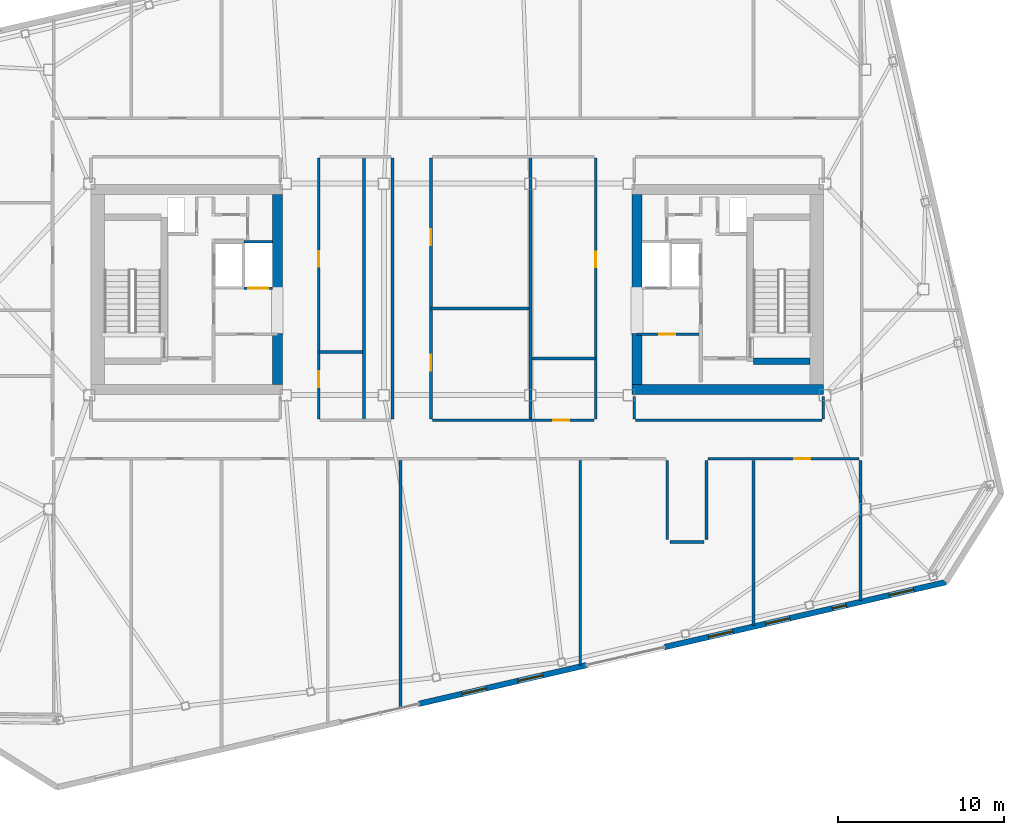
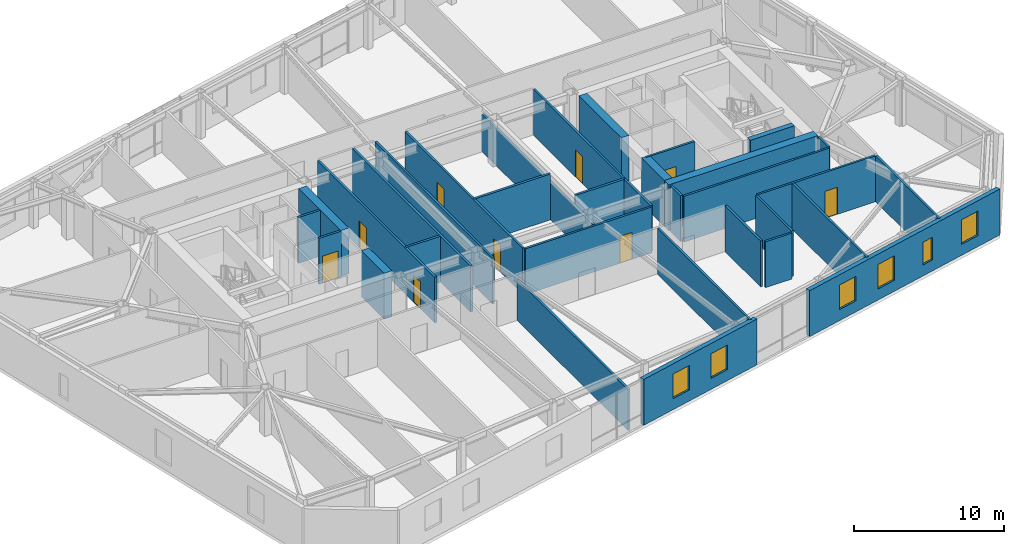
# One storey, part 17 of 23: 32 walls, 9 doors, 6 windows, 15 openings.
"""IFC4 building model written with IfcOpenShell, lengths in metres."""

from ifc_helpers import new_model, si_unit, direction, frame, frame_2d, origin, place, context, subcontext, project, spatial, rectangle, extrude, material, layer, layer_set, type_object, element, fill, save


model = new_model("IFC4")

# Units and contexts
model_context = context("Model", 3, precision=1e-05, world=origin(), true_north=direction((0.0, 1.0)))
body_context = subcontext(model_context, "Body", "Model", "MODEL_VIEW")
ifc_project = project(units=[si_unit("LENGTHUNIT", "METRE"), si_unit("AREAUNIT", "SQUARE_METRE"), si_unit("VOLUMEUNIT", "CUBIC_METRE"), si_unit("PLANEANGLEUNIT", "RADIAN"), si_unit("MASSUNIT", "GRAM", prefix="KILO")], contexts=[model_context])

# Site, building, storey
site_placement = place(None, origin())
site = spatial("IfcSite", under=ifc_project, at=site_placement, CompositionType="ELEMENT")
building_placement = place(site_placement, origin())
building = spatial("IfcBuilding", under=site, at=building_placement, Name="Tavrogorsk Clinical Tower", CompositionType="ELEMENT")
storey_placement = place(building_placement, frame((0.0, 0.0, 293.0)))
storey = spatial("IfcBuildingStorey", under=building, at=storey_placement, Name="L68", CompositionType="ELEMENT", Elevation=293.0)

# Wall, opening, door
ifc_material_1 = material(Name="Lightweight concrete blockwork B15", Category="masonry")
ifc_layer_1 = layer(ifc_material_1, 0.159912109375)
ifc_layer_set_1 = layer_set([ifc_layer_1], Name="Lightweight concrete blockwork B15")
wall_type_1 = type_object("IfcWallType", Name="PartitionWall_160", PredefinedType="PARTITIONING", material=ifc_layer_set_1)
wall_1_placement = place(storey_placement, frame((10.800048828125, -2.699951171875, 0.0), z_axis=(0.0, 0.0, 1.0), x_axis=(1.0, 0.0, 0.0)))
wall_1 = element("IfcWall", 1, at=wall_1_placement, inside=storey, type_object=wall_type_1, Name="L68 Core East Freed Mid-Bank North Partition", PredefinedType="PARTITIONING", context=body_context, shape_type="SweptSolid", body=[
    extrude(rectangle(XDim=3.73486328125, YDim=0.159912109375, at=frame_2d((1.867431640625, 0.0))), origin(), (0.0, 0.0, 1.0), 3.739990234375),
])
opening_1_placement = place(wall_1_placement, frame((1.35009765625, 0.0, 0.0)))
opening_1 = element("IfcOpeningElement", 2, at=opening_1_placement, cuts=wall_1, Name="Opening ID-02", PredefinedType="OPENING", context=body_context, shape_type="SweptSolid", body=[
    extrude(rectangle(XDim=0.949951171875, YDim=2.199951171875, at=frame_2d((0.47509765625, 1.10009765625))), frame((0.0, 0.08984375, 0.0), z_axis=(0.0, -1.0, 0.0), x_axis=(1.0, 0.0, 0.0)), (0.0, 0.0, 1.0), 0.179931640625),
])
ifc_material_2 = material(Name="Laminated timber leaf on aluminium frame", Category="wood")
door_type_1 = type_object("IfcDoorType", Name="InteriorDoor_ID02_950", OperationType="NOTDEFINED", PredefinedType="DOOR", material=ifc_material_2)
door_1_placement = place(opening_1_placement, origin())
door_1 = element("IfcDoor", 3, at=door_1_placement, inside=storey, type_object=door_type_1, Name="L68 Core East Pharmacy Prep Door", OperationType="SINGLE_SWING_LEFT", OverallHeight=2.199951171875, OverallWidth=0.949951171875, PredefinedType="DOOR", context=body_context, shape_type="SweptSolid", body=[
    extrude(rectangle(XDim=0.949951171875, YDim=2.199951171875, at=frame_2d((0.47509765625, 1.10009765625))), frame((0.0, 0.02490234375, 0.0), z_axis=(0.0, -1.0, 0.0), x_axis=(1.0, 0.0, 0.0)), (0.0, 0.0, 1.0), 0.050048828125),
])
fill(opening_1, door_1)

wall_2_placement = place(storey_placement, frame((24.14501953125, -10.179931640625, 0.0), z_axis=(0.0, 0.0, 1.0), x_axis=(-1.0, 0.0, 0.0)))
wall_2 = element("IfcWall", 4, at=wall_2_placement, inside=storey, type_object=wall_type_1, Name="L68 Corridor Partition 04", PredefinedType="PARTITIONING", context=body_context, shape_type="SweptSolid", body=[
    extrude(rectangle(XDim=9.080078125, YDim=0.159912109375, at=frame_2d((4.5400390625, 0.0))), origin(), (0.0, 0.0, 1.0), 3.739990234375),
])
opening_2_placement = place(wall_2_placement, frame((2.93408203125, 0.0, 0.0)))
opening_2 = element("IfcOpeningElement", 5, at=opening_2_placement, cuts=wall_2, Name="Opening ID-02", PredefinedType="OPENING", context=body_context, shape_type="SweptSolid", body=[
    extrude(rectangle(XDim=0.949951171875, YDim=2.199951171875, at=frame_2d((0.47509765625, 1.10009765625))), frame((0.0, 0.08984375, 0.0), z_axis=(0.0, -1.0, 0.0), x_axis=(1.0, 0.0, 0.0)), (0.0, 0.0, 1.0), 0.179931640625),
])
door_2_placement = place(opening_2_placement, origin())
door_2 = element("IfcDoor", 6, at=door_2_placement, inside=storey, type_object=door_type_1, Name="L68 South Clinical Case Seminar Room 06 Door", OperationType="SINGLE_SWING_LEFT", OverallHeight=2.199951171875, OverallWidth=0.949951171875, PredefinedType="DOOR", context=body_context, shape_type="SweptSolid", body=[
    extrude(rectangle(XDim=0.949951171875, YDim=2.199951171875, at=frame_2d((0.47509765625, 1.10009765625))), frame((0.0, 0.02490234375, 0.0), z_axis=(0.0, -1.0, 0.0), x_axis=(1.0, 0.0, 0.0)), (0.0, 0.0, 1.0), 0.050048828125),
])
fill(opening_2, door_2)

# Walls
wall_3_placement = place(storey_placement, frame((14.97998046875, -10.264892578125, 0.0), z_axis=(0.0, 0.0, 1.0), x_axis=(0.0, -1.0, 0.0)))
element("IfcWall", 7, at=wall_3_placement, inside=storey, type_object=wall_type_1, Name="L68 Corridor Partition 05", PredefinedType="PARTITIONING", context=body_context, shape_type="SweptSolid", body=[
    extrude(rectangle(XDim=4.75, YDim=0.159912109375, at=frame_2d((2.375, 0.0))), origin(), (0.0, 0.0, 1.0), 3.739990234375),
])
wall_4_placement = place(storey_placement, frame((14.81494140625, -15.179931640625, 0.0), z_axis=(0.0, 0.0, 1.0), x_axis=(-1.0, 0.0, 0.0)))
element("IfcWall", 8, at=wall_4_placement, inside=storey, type_object=wall_type_1, Name="L68 Corridor Partition 06", PredefinedType="PARTITIONING", context=body_context, shape_type="SweptSolid", body=[
    extrude(rectangle(XDim=2.030029296875, YDim=0.159912109375, at=frame_2d((1.01513671875, 0.0))), origin(), (0.0, 0.0, 1.0), 3.739990234375),
])
wall_5_placement = place(storey_placement, frame((12.6201171875, -15.014892578125, 0.0), z_axis=(0.0, 0.0, 1.0), x_axis=(0.0, 1.0, 0.0)))
element("IfcWall", 9, at=wall_5_placement, inside=storey, type_object=wall_type_1, Name="L68 Corridor Partition 07", PredefinedType="PARTITIONING", context=body_context, shape_type="SweptSolid", body=[
    extrude(rectangle(XDim=4.75, YDim=0.159912109375, at=frame_2d((2.375, 0.0))), origin(), (0.0, 0.0, 1.0), 3.739990234375),
])
wall_6_placement = place(storey_placement, frame((10.6298828125, -6.419921875, 0.0), z_axis=(0.0, 0.0, 1.0), x_axis=(0.0, -1.0, 0.0)))
element("IfcWall", 10, at=wall_6_placement, inside=storey, type_object=wall_type_1, Name="L68 Corridor Partition 11", PredefinedType="PARTITIONING", context=body_context, shape_type="SweptSolid", body=[
    extrude(rectangle(XDim=1.364990234375, YDim=0.159912109375, at=frame_2d((0.6826171875, 0.0))), origin(), (0.0, 0.0, 1.0), 3.739990234375),
])
wall_7_placement = place(storey_placement, frame((10.715087890625, -7.8701171875, 0.0), z_axis=(0.0, 0.0, 1.0), x_axis=(1.0, 0.0, 0.0)))
element("IfcWall", 11, at=wall_7_placement, inside=storey, type_object=wall_type_1, Name="L68 Corridor Partition 12", PredefinedType="PARTITIONING", context=body_context, shape_type="SweptSolid", body=[
    extrude(rectangle(XDim=11.199951171875, YDim=0.159912109375, at=frame_2d((5.60009765625, 0.0))), origin(), (0.0, 0.0, 1.0), 3.739990234375),
])
wall_8_placement = place(storey_placement, frame((22.0, -7.784912109375, 0.0), z_axis=(0.0, 0.0, 1.0), x_axis=(0.0, 1.0, 0.0)))
element("IfcWall", 12, at=wall_8_placement, inside=storey, type_object=wall_type_1, Name="L68 Corridor Partition 13", PredefinedType="PARTITIONING", context=body_context, shape_type="SweptSolid", body=[
    extrude(rectangle(XDim=1.364990234375, YDim=0.159912109375, at=frame_2d((0.6826171875, 0.0))), origin(), (0.0, 0.0, 1.0), 3.739990234375),
])

# Wall, openings, doors
wall_9_placement = place(storey_placement, frame((-1.570068359375, 7.885009765625, 0.0), z_axis=(0.0, 0.0, 1.0), x_axis=(0.0, -1.0, 0.0)))
wall_9 = element("IfcWall", 13, at=wall_9_placement, inside=storey, type_object=wall_type_1, Name="L68 Corridor Partition 16", PredefinedType="PARTITIONING", context=body_context, shape_type="SweptSolid", body=[
    extrude(rectangle(XDim=15.669921875, YDim=0.159912109375, at=frame_2d((7.8349609375, 0.0))), origin(), (0.0, 0.0, 1.0), 3.739990234375),
])
opening_3_placement = place(wall_9_placement, frame((11.810791015625, 0.0, 0.0)))
opening_3 = element("IfcOpeningElement", 14, at=opening_3_placement, cuts=wall_9, Name="Opening ID-02", PredefinedType="OPENING", context=body_context, shape_type="SweptSolid", body=[
    extrude(rectangle(XDim=0.949951171875, YDim=2.199951171875, at=frame_2d((0.47509765625, 1.10009765625))), frame((0.0, 0.08984375, 0.0), z_axis=(0.0, -1.0, 0.0), x_axis=(1.0, 0.0, 0.0)), (0.0, 0.0, 1.0), 0.179931640625),
])
opening_4_placement = place(wall_9_placement, frame((4.279052734375, 0.0, 0.0)))
opening_4 = element("IfcOpeningElement", 15, at=opening_4_placement, cuts=wall_9, Name="Opening ID-02", PredefinedType="OPENING", context=body_context, shape_type="SweptSolid", body=[
    extrude(rectangle(XDim=0.949951171875, YDim=2.199951171875, at=frame_2d((0.47509765625, 1.10009765625))), frame((0.0, 0.08984375, 0.0), z_axis=(0.0, -1.0, 0.0), x_axis=(1.0, 0.0, 0.0)), (0.0, 0.0, 1.0), 0.179931640625),
])
door_3_placement = place(opening_3_placement, origin())
door_3 = element("IfcDoor", 16, at=door_3_placement, inside=storey, type_object=door_type_1, Name="L68 Multidisciplinary Conference Room Door", OperationType="SINGLE_SWING_RIGHT", OverallHeight=2.199951171875, OverallWidth=0.949951171875, PredefinedType="DOOR", context=body_context, shape_type="SweptSolid", body=[
    extrude(rectangle(XDim=0.949951171875, YDim=2.199951171875, at=frame_2d((0.47509765625, 1.10009765625))), frame((0.0, 0.02490234375, 0.0), z_axis=(0.0, -1.0, 0.0), x_axis=(1.0, 0.0, 0.0)), (0.0, 0.0, 1.0), 0.050048828125),
])
fill(opening_3, door_3)
door_4_placement = place(opening_4_placement, origin())
door_4 = element("IfcDoor", 17, at=door_4_placement, inside=storey, type_object=door_type_1, Name="L68 Nurses' Station & Triage Hub Door", OperationType="SINGLE_SWING_LEFT", OverallHeight=2.199951171875, OverallWidth=0.949951171875, PredefinedType="DOOR", context=body_context, shape_type="SweptSolid", body=[
    extrude(rectangle(XDim=0.949951171875, YDim=2.199951171875, at=frame_2d((0.47509765625, 1.10009765625))), frame((0.0, 0.02490234375, 0.0), z_axis=(0.0, -1.0, 0.0), x_axis=(1.0, 0.0, 0.0)), (0.0, 0.0, 1.0), 0.050048828125),
])
fill(opening_4, door_4)

# Wall, opening, door
wall_10_placement = place(storey_placement, frame((-1.485107421875, -7.8701171875, 0.0), z_axis=(0.0, 0.0, 1.0), x_axis=(1.0, 0.0, 0.0)))
wall_10 = element("IfcWall", 18, at=wall_10_placement, inside=storey, type_object=wall_type_1, Name="L68 Corridor Partition 17", PredefinedType="PARTITIONING", context=body_context, shape_type="SweptSolid", body=[
    extrude(rectangle(XDim=9.72021484375, YDim=0.159912109375, at=frame_2d((4.860107421875, 0.0))), origin(), (0.0, 0.0, 1.0), 3.739990234375),
])
opening_5_placement = place(wall_10_placement, frame((7.260986328125, 0.0, 0.0)))
opening_5 = element("IfcOpeningElement", 19, at=opening_5_placement, cuts=wall_10, Name="Opening ID-02", PredefinedType="OPENING", context=body_context, shape_type="SweptSolid", body=[
    extrude(rectangle(XDim=0.949951171875, YDim=2.199951171875, at=frame_2d((0.47509765625, 1.10009765625))), frame((0.0, 0.08984375, 0.0), z_axis=(0.0, -1.0, 0.0), x_axis=(1.0, 0.0, 0.0)), (0.0, 0.0, 1.0), 0.179931640625),
])
door_5_placement = place(opening_5_placement, origin())
door_5 = element("IfcDoor", 20, at=door_5_placement, inside=storey, type_object=door_type_1, Name="L68 Staff & Visitor Accessible WC Door", OperationType="SINGLE_SWING_RIGHT", OverallHeight=2.199951171875, OverallWidth=0.949951171875, PredefinedType="DOOR", context=body_context, shape_type="SweptSolid", body=[
    extrude(rectangle(XDim=0.949951171875, YDim=2.199951171875, at=frame_2d((0.47509765625, 1.10009765625))), frame((0.0, 0.02490234375, 0.0), z_axis=(0.0, -1.0, 0.0), x_axis=(1.0, 0.0, 0.0)), (0.0, 0.0, 1.0), 0.050048828125),
])
fill(opening_5, door_5)

wall_11_placement = place(storey_placement, frame((8.320068359375, -7.784912109375, 0.0), z_axis=(0.0, 0.0, 1.0), x_axis=(0.0, 1.0, 0.0)))
wall_11 = element("IfcWall", 21, at=wall_11_placement, inside=storey, type_object=wall_type_1, Name="L68 Corridor Partition 18", PredefinedType="PARTITIONING", context=body_context, shape_type="SweptSolid", body=[
    extrude(rectangle(XDim=15.669921875, YDim=0.159912109375, at=frame_2d((7.8349609375, 0.0))), origin(), (0.0, 0.0, 1.0), 3.739990234375),
])
opening_6_placement = place(wall_11_placement, frame((9.11083984375, 0.0, 0.0)))
opening_6 = element("IfcOpeningElement", 22, at=opening_6_placement, cuts=wall_11, Name="Opening ID-02", PredefinedType="OPENING", context=body_context, shape_type="SweptSolid", body=[
    extrude(rectangle(XDim=0.949951171875, YDim=2.199951171875, at=frame_2d((0.47509765625, 1.10009765625))), frame((0.0, 0.08984375, 0.0), z_axis=(0.0, -1.0, 0.0), x_axis=(1.0, 0.0, 0.0)), (0.0, 0.0, 1.0), 0.179931640625),
])
door_6_placement = place(opening_6_placement, origin())
door_6 = element("IfcDoor", 23, at=door_6_placement, inside=storey, type_object=door_type_1, Name="L68 Attending Physician Office Door", OperationType="SINGLE_SWING_LEFT", OverallHeight=2.199951171875, OverallWidth=0.949951171875, PredefinedType="DOOR", context=body_context, shape_type="SweptSolid", body=[
    extrude(rectangle(XDim=0.949951171875, YDim=2.199951171875, at=frame_2d((0.47509765625, 1.10009765625))), frame((0.0, 0.02490234375, 0.0), z_axis=(0.0, -1.0, 0.0), x_axis=(1.0, 0.0, 0.0)), (0.0, 0.0, 1.0), 0.050048828125),
])
fill(opening_6, door_6)

# Wall
wall_12_placement = place(storey_placement, frame((-3.8798828125, -7.784912109375, 0.0), z_axis=(0.0, 0.0, 1.0), x_axis=(0.0, 1.0, 0.0)))
element("IfcWall", 24, at=wall_12_placement, inside=storey, type_object=wall_type_1, Name="L68 Corridor Partition 19", PredefinedType="PARTITIONING", context=body_context, shape_type="SweptSolid", body=[
    extrude(rectangle(XDim=15.669921875, YDim=0.159912109375, at=frame_2d((7.8349609375, 0.0))), origin(), (0.0, 0.0, 1.0), 3.739990234375),
])

# Wall, openings, doors
wall_13_placement = place(storey_placement, frame((-8.320068359375, 7.885009765625, 0.0), z_axis=(0.0, 0.0, 1.0), x_axis=(0.0, -1.0, 0.0)))
wall_13 = element("IfcWall", 25, at=wall_13_placement, inside=storey, type_object=wall_type_1, Name="L68 Corridor Partition 21", PredefinedType="PARTITIONING", context=body_context, shape_type="SweptSolid", body=[
    extrude(rectangle(XDim=15.669921875, YDim=0.159912109375, at=frame_2d((7.8349609375, 0.0))), origin(), (0.0, 0.0, 1.0), 3.739990234375),
])
opening_7_placement = place(wall_13_placement, frame((12.810791015625, 0.0, 0.0)))
opening_7 = element("IfcOpeningElement", 26, at=opening_7_placement, cuts=wall_13, Name="Opening ID-02", PredefinedType="OPENING", context=body_context, shape_type="SweptSolid", body=[
    extrude(rectangle(XDim=0.949951171875, YDim=2.199951171875, at=frame_2d((0.47509765625, 1.10009765625))), frame((0.0, 0.08984375, 0.0), z_axis=(0.0, -1.0, 0.0), x_axis=(1.0, 0.0, 0.0)), (0.0, 0.0, 1.0), 0.179931640625),
])
opening_8_placement = place(wall_13_placement, frame((5.5791015625, 0.0, 0.0)))
opening_8 = element("IfcOpeningElement", 27, at=opening_8_placement, cuts=wall_13, Name="Opening ID-02", PredefinedType="OPENING", context=body_context, shape_type="SweptSolid", body=[
    extrude(rectangle(XDim=0.949951171875, YDim=2.199951171875, at=frame_2d((0.47509765625, 1.10009765625))), frame((0.0, 0.08984375, 0.0), z_axis=(0.0, -1.0, 0.0), x_axis=(1.0, 0.0, 0.0)), (0.0, 0.0, 1.0), 0.179931640625),
])
door_7_placement = place(opening_7_placement, origin())
door_7 = element("IfcDoor", 28, at=door_7_placement, inside=storey, type_object=door_type_1, Name="L68 Accessible Patient Lavatory Door", OperationType="SINGLE_SWING_RIGHT", OverallHeight=2.199951171875, OverallWidth=0.949951171875, PredefinedType="DOOR", context=body_context, shape_type="SweptSolid", body=[
    extrude(rectangle(XDim=0.949951171875, YDim=2.199951171875, at=frame_2d((0.47509765625, 1.10009765625))), frame((0.0, 0.02490234375, 0.0), z_axis=(0.0, -1.0, 0.0), x_axis=(1.0, 0.0, 0.0)), (0.0, 0.0, 1.0), 0.050048828125),
])
fill(opening_7, door_7)
door_8_placement = place(opening_8_placement, origin())
door_8 = element("IfcDoor", 29, at=door_8_placement, inside=storey, type_object=door_type_1, Name="L68 Ward Nourishment Pantry Door", OperationType="SINGLE_SWING_LEFT", OverallHeight=2.199951171875, OverallWidth=0.949951171875, PredefinedType="DOOR", context=body_context, shape_type="SweptSolid", body=[
    extrude(rectangle(XDim=0.949951171875, YDim=2.199951171875, at=frame_2d((0.47509765625, 1.10009765625))), frame((0.0, 0.02490234375, 0.0), z_axis=(0.0, -1.0, 0.0), x_axis=(1.0, 0.0, 0.0)), (0.0, 0.0, 1.0), 0.050048828125),
])
fill(opening_8, door_8)

# Walls
wall_14_placement = place(storey_placement, frame((24.22998046875, -18.702880859375, 0.0), z_axis=(0.0, 0.0, 1.0), x_axis=(0.0, 1.0, 0.0)))
element("IfcWall", 30, at=wall_14_placement, inside=storey, type_object=wall_type_1, Name="L68 SE Wing Closure Partition", PredefinedType="PARTITIONING", context=body_context, shape_type="SweptSolid", body=[
    extrude(rectangle(XDim=8.43798828125, YDim=0.159912109375, at=frame_2d((4.218994140625, 0.0))), origin(), (0.0, 0.0, 1.0), 3.739990234375),
])
wall_15_placement = place(storey_placement, frame((-3.39990234375, -25.081787109375, 0.0), z_axis=(0.0, 0.0, 1.0), x_axis=(0.0, 1.0, 0.0)))
element("IfcWall", 31, at=wall_15_placement, inside=storey, type_object=wall_type_1, Name="L68 South Room Partition 3", PredefinedType="PARTITIONING", context=body_context, shape_type="SweptSolid", body=[
    extrude(rectangle(XDim=14.81689453125, YDim=0.159912109375, at=frame_2d((7.408447265625, 0.0))), origin(), (0.0, 0.0, 1.0), 3.3349609375),
])
wall_16_placement = place(storey_placement, frame((7.39990234375, -22.58837890625, 0.0), z_axis=(0.0, 0.0, 1.0), x_axis=(0.0, 1.0, 0.0)))
element("IfcWall", 32, at=wall_16_placement, inside=storey, type_object=wall_type_1, Name="L68 South Room Partition 4", PredefinedType="PARTITIONING", context=body_context, shape_type="SweptSolid", body=[
    extrude(rectangle(XDim=12.323486328125, YDim=0.159912109375, at=frame_2d((6.16162109375, 0.0))), origin(), (0.0, 0.0, 1.0), 3.739990234375),
])
wall_17_placement = place(storey_placement, frame((17.800048828125, -20.187255859375, 0.0), z_axis=(0.0, 0.0, 1.0), x_axis=(0.0, 1.0, 0.0)))
element("IfcWall", 33, at=wall_17_placement, inside=storey, type_object=wall_type_1, Name="L68 South Room Partition 5", PredefinedType="PARTITIONING", context=body_context, shape_type="SweptSolid", body=[
    extrude(rectangle(XDim=9.92236328125, YDim=0.159912109375, at=frame_2d((4.961181640625, 0.0))), origin(), (0.0, 0.0, 1.0), 3.739990234375),
])
ifc_material_3 = material(Name="Lightweight concrete blockwork B20", Category="masonry")
ifc_layer_2 = layer(ifc_material_3, 0.179931640625)
ifc_layer_set_2 = layer_set([ifc_layer_2], Name="Lightweight concrete blockwork B20")
wall_type_2 = type_object("IfcWallType", Name="PartitionWall_180", PredefinedType="PARTITIONING", material=ifc_layer_set_2)
wall_18_placement = place(storey_placement, frame((-5.60009765625, -7.864990234375, 0.0), z_axis=(0.0, 0.0, 1.0), x_axis=(0.0, 1.0, 0.0)))
element("IfcWall", 34, at=wall_18_placement, inside=storey, type_object=wall_type_2, Name="L68 Central Spine Partition 1", PredefinedType="PARTITIONING", context=body_context, shape_type="SweptSolid", body=[
    extrude(rectangle(XDim=15.830078125, YDim=0.179931640625, at=frame_2d((7.9150390625, 0.0))), origin(), (0.0, 0.0, 1.0), 3.739990234375),
])
wall_19_placement = place(storey_placement, frame((4.39990234375, -7.864990234375, 0.0), z_axis=(0.0, 0.0, 1.0), x_axis=(0.0, 1.0, 0.0)))
element("IfcWall", 35, at=wall_19_placement, inside=storey, type_object=wall_type_2, Name="L68 Central Spine Partition 2", PredefinedType="PARTITIONING", context=body_context, shape_type="SweptSolid", body=[
    extrude(rectangle(XDim=15.830078125, YDim=0.179931640625, at=frame_2d((7.9150390625, 0.0))), origin(), (0.0, 0.0, 1.0), 3.034912109375),
])
wall_20_placement = place(storey_placement, frame((-1.56494140625, -1.14990234375, 0.0), z_axis=(0.0, 0.0, 1.0), x_axis=(1.0, 0.0, 0.0)))
element("IfcWall", 36, at=wall_20_placement, inside=storey, type_object=wall_type_2, Name="L68 Central Spine Partition 3", PredefinedType="PARTITIONING", context=body_context, shape_type="SweptSolid", body=[
    extrude(rectangle(XDim=5.869873046875, YDim=0.179931640625, at=frame_2d((2.93505859375, 0.0))), origin(), (0.0, 0.0, 1.0), 3.739990234375),
])
wall_21_placement = place(storey_placement, frame((-8.31494140625, -3.75, 0.0), z_axis=(0.0, 0.0, 1.0), x_axis=(1.0, 0.0, 0.0)))
element("IfcWall", 37, at=wall_21_placement, inside=storey, type_object=wall_type_2, Name="L68 Central Spine Partition 4", PredefinedType="PARTITIONING", context=body_context, shape_type="SweptSolid", body=[
    extrude(rectangle(XDim=2.619873046875, YDim=0.179931640625, at=frame_2d((1.31005859375, 0.0))), origin(), (0.0, 0.0, 1.0), 3.739990234375),
])
wall_22_placement = place(storey_placement, frame((4.4951171875, -4.14990234375, 0.0), z_axis=(0.0, 0.0, 1.0), x_axis=(1.0, 0.0, 0.0)))
element("IfcWall", 38, at=wall_22_placement, inside=storey, type_object=wall_type_2, Name="L68 Central Spine Partition 5", PredefinedType="PARTITIONING", context=body_context, shape_type="SweptSolid", body=[
    extrude(rectangle(XDim=3.81982421875, YDim=0.179931640625, at=frame_2d((1.909912109375, 0.0))), origin(), (0.0, 0.0, 1.0), 3.739990234375),
])

# Wall, openings, windows
ifc_material_4 = material(Name="Precast concrete B45 with limestone cladding", Category="masonry")
ifc_layer_3 = layer(ifc_material_4, 0.340087890625)
ifc_layer_set_3 = layer_set([ifc_layer_3], Name="Precast concrete B45 with limestone cladding")
wall_type_3 = type_object("IfcWallType", Name="PrecastLimestoneWall_340", PredefinedType="STANDARD", material=ifc_layer_set_3)
wall_23_placement = place(storey_placement, frame((-2.294921875, -24.8984375, 0.0), z_axis=(0.0, 0.0, 1.0), x_axis=(0.974370872906, 0.224947553958, 0.0)))
wall_23 = element("IfcWall", 39, at=wall_23_placement, inside=storey, type_object=wall_type_3, Name="L68 S Limestone Facade Wall 2", PredefinedType="STANDARD", context=body_context, shape_type="SweptSolid", body=[
    extrude(rectangle(XDim=10.327880859375, YDim=0.340087890625, at=frame_2d((5.1640625, 0.0))), origin(), (0.0, 0.0, 1.0), 3.739990234375),
])
opening_9_placement = place(wall_23_placement, frame((2.65478515625, 0.0, 0.89990234375)))
opening_9 = element("IfcOpeningElement", 40, at=opening_9_placement, cuts=wall_23, Name="Opening WN-05", PredefinedType="OPENING", context=body_context, shape_type="SweptSolid", body=[
    extrude(rectangle(XDim=1.5, YDim=2.0, at=frame_2d((0.75, 1.0))), frame((0.0, 0.179931640625, 0.0), z_axis=(0.0, -1.0, 0.0), x_axis=(1.0, 0.0, 0.0)), (0.0, 0.0, 1.0), 0.360107421875),
])
opening_10_placement = place(wall_23_placement, frame((6.124267578125, 0.0, 0.89990234375)))
opening_10 = element("IfcOpeningElement", 41, at=opening_10_placement, cuts=wall_23, Name="Opening WN-05", PredefinedType="OPENING", context=body_context, shape_type="SweptSolid", body=[
    extrude(rectangle(XDim=1.5, YDim=2.0, at=frame_2d((0.75, 1.0))), frame((0.0, 0.179931640625, 0.0), z_axis=(0.0, -1.0, 0.0), x_axis=(1.0, 0.0, 0.0)), (0.0, 0.0, 1.0), 0.360107421875),
])
ifc_material_5 = material(Name="Thermally broken aluminium frame and triple IGU", Category="aluminium")
window_type_1 = type_object("IfcWindowType", Name="ConsultWin_1500x2000", PartitioningType="SINGLE_PANEL", PredefinedType="WINDOW", material=ifc_material_5)
window_1_placement = place(opening_9_placement, origin())
window_1 = element("IfcWindow", 42, at=window_1_placement, inside=storey, type_object=window_type_1, Name="L68 S Chicago Window 05", OverallHeight=2.0, OverallWidth=1.5, PartitioningType="SINGLE_PANEL", PredefinedType="WINDOW", context=body_context, shape_type="SweptSolid", body=[
    extrude(rectangle(XDim=1.5, YDim=2.0, at=frame_2d((0.75, 1.0))), frame((0.0, 0.030029296875, 0.0), z_axis=(0.0, -1.0, 0.0), x_axis=(1.0, 0.0, 0.0)), (0.0, 0.0, 1.0), 0.06005859375),
])
fill(opening_9, window_1)
window_2_placement = place(opening_10_placement, origin())
window_2 = element("IfcWindow", 43, at=window_2_placement, inside=storey, type_object=window_type_1, Name="L68 S Chicago Window 06", OverallHeight=2.0, OverallWidth=1.5, PartitioningType="SINGLE_PANEL", PredefinedType="WINDOW", context=body_context, shape_type="SweptSolid", body=[
    extrude(rectangle(XDim=1.5, YDim=2.0, at=frame_2d((0.75, 1.0))), frame((0.0, 0.030029296875, 0.0), z_axis=(0.0, -1.0, 0.0), x_axis=(1.0, 0.0, 0.0)), (0.0, 0.0, 1.0), 0.06005859375),
])
fill(opening_10, window_2)

wall_24_placement = place(storey_placement, frame((12.4453125, -21.495361328125, 0.0), z_axis=(0.0, 0.0, 1.0), x_axis=(0.974369392164, 0.224953967767, 0.0)))
wall_24 = element("IfcWall", 44, at=wall_24_placement, inside=storey, type_object=wall_type_3, Name="L68 S Limestone Facade Wall 3", PredefinedType="STANDARD", context=body_context, shape_type="SweptSolid", body=[
    extrude(rectangle(XDim=17.36572265625, YDim=0.340087890625, at=frame_2d((8.682861328125, 0.0))), origin(), (0.0, 0.0, 1.0), 3.739990234375),
])
opening_11_placement = place(wall_24_placement, frame((2.728515625, 0.0, 0.89990234375)))
opening_11 = element("IfcOpeningElement", 45, at=opening_11_placement, cuts=wall_24, Name="Opening WN-05", PredefinedType="OPENING", context=body_context, shape_type="SweptSolid", body=[
    extrude(rectangle(XDim=1.5, YDim=2.0, at=frame_2d((0.75, 1.0))), frame((0.0, 0.179931640625, 0.0), z_axis=(0.0, -1.0, 0.0), x_axis=(1.0, 0.0, 0.0)), (0.0, 0.0, 1.0), 0.360107421875),
])
opening_12_placement = place(wall_24_placement, frame((6.240234375, 0.0, 0.89990234375)))
opening_12 = element("IfcOpeningElement", 46, at=opening_12_placement, cuts=wall_24, Name="Opening WN-05", PredefinedType="OPENING", context=body_context, shape_type="SweptSolid", body=[
    extrude(rectangle(XDim=1.5, YDim=2.0, at=frame_2d((0.75, 1.0))), frame((0.0, 0.179931640625, 0.0), z_axis=(0.0, -1.0, 0.0), x_axis=(1.0, 0.0, 0.0)), (0.0, 0.0, 1.0), 0.360107421875),
])
opening_13_placement = place(wall_24_placement, frame((10.36279296875, 0.0, 0.89990234375)))
opening_13 = element("IfcOpeningElement", 47, at=opening_13_placement, cuts=wall_24, Name="Opening WN-06", PredefinedType="OPENING", context=body_context, shape_type="SweptSolid", body=[
    extrude(rectangle(XDim=0.85009765625, YDim=1.85009765625, at=frame_2d((0.425048828125, 0.925048828125))), frame((0.0, 0.179931640625, 0.0), z_axis=(0.0, -1.0, 0.0), x_axis=(1.0, 0.0, 0.0)), (0.0, 0.0, 1.0), 0.360107421875),
])
opening_14_placement = place(wall_24_placement, frame((13.87451171875, 0.0, 0.89990234375)))
opening_14 = element("IfcOpeningElement", 48, at=opening_14_placement, cuts=wall_24, Name="Opening WN-05", PredefinedType="OPENING", context=body_context, shape_type="SweptSolid", body=[
    extrude(rectangle(XDim=1.5, YDim=2.0, at=frame_2d((0.75, 1.0))), frame((0.0, 0.179931640625, 0.0), z_axis=(0.0, -1.0, 0.0), x_axis=(1.0, 0.0, 0.0)), (0.0, 0.0, 1.0), 0.360107421875),
])
window_3_placement = place(opening_11_placement, origin())
window_3 = element("IfcWindow", 49, at=window_3_placement, inside=storey, type_object=window_type_1, Name="L68 S Chicago Window 07", OverallHeight=2.0, OverallWidth=1.5, PartitioningType="SINGLE_PANEL", PredefinedType="WINDOW", context=body_context, shape_type="SweptSolid", body=[
    extrude(rectangle(XDim=1.5, YDim=2.0, at=frame_2d((0.75, 1.0))), frame((0.0, 0.030029296875, 0.0), z_axis=(0.0, -1.0, 0.0), x_axis=(1.0, 0.0, 0.0)), (0.0, 0.0, 1.0), 0.06005859375),
])
fill(opening_11, window_3)
window_4_placement = place(opening_12_placement, origin())
window_4 = element("IfcWindow", 50, at=window_4_placement, inside=storey, type_object=window_type_1, Name="L68 S Chicago Window 08", OverallHeight=2.0, OverallWidth=1.5, PartitioningType="SINGLE_PANEL", PredefinedType="WINDOW", context=body_context, shape_type="SweptSolid", body=[
    extrude(rectangle(XDim=1.5, YDim=2.0, at=frame_2d((0.75, 1.0))), frame((0.0, 0.030029296875, 0.0), z_axis=(0.0, -1.0, 0.0), x_axis=(1.0, 0.0, 0.0)), (0.0, 0.0, 1.0), 0.06005859375),
])
fill(opening_12, window_4)
window_5_placement = place(opening_14_placement, origin())
window_5 = element("IfcWindow", 51, at=window_5_placement, inside=storey, type_object=window_type_1, Name="L68 S Chicago Window 10", OverallHeight=2.0, OverallWidth=1.5, PartitioningType="SINGLE_PANEL", PredefinedType="WINDOW", context=body_context, shape_type="SweptSolid", body=[
    extrude(rectangle(XDim=1.5, YDim=2.0, at=frame_2d((0.75, 1.0))), frame((0.0, 0.030029296875, 0.0), z_axis=(0.0, -1.0, 0.0), x_axis=(1.0, 0.0, 0.0)), (0.0, 0.0, 1.0), 0.06005859375),
])
fill(opening_14, window_5)
ifc_material_6 = material(Name="Thermally broken aluminium frame and triple IGU", Category="aluminium")
window_type_2 = type_object("IfcWindowType", Name="MullionSubWin_850x1850", PartitioningType="SINGLE_PANEL", PredefinedType="WINDOW", material=ifc_material_6)
window_6_placement = place(opening_13_placement, origin())
window_6 = element("IfcWindow", 52, at=window_6_placement, inside=storey, type_object=window_type_2, Name="L68 S Mullion Split Window 09A", OverallHeight=1.85009765625, OverallWidth=0.85009765625, PartitioningType="SINGLE_PANEL", PredefinedType="WINDOW", context=body_context, shape_type="SweptSolid", body=[
    extrude(rectangle(XDim=0.85009765625, YDim=1.85009765625, at=frame_2d((0.425048828125, 0.925048828125))), frame((0.0, 0.030029296875, 0.0), z_axis=(0.0, -1.0, 0.0), x_axis=(1.0, 0.0, 0.0)), (0.0, 0.0, 1.0), 0.06005859375),
])
fill(opening_13, window_6)

# Wall, opening, door
ifc_material_7 = material(Name="Lightweight concrete blockwork B25", Category="masonry")
ifc_layer_4 = layer(ifc_material_7, 0.159912109375)
ifc_layer_set_4 = layer_set([ifc_layer_4], Name="Lightweight concrete blockwork B25")
wall_type_4 = type_object("IfcWallType", Name="ShaftWall_160", PredefinedType="PARTITIONING", material=ifc_layer_set_4)
wall_25_placement = place(storey_placement, frame((-12.820068359375, 0.06005859375, 0.0), z_axis=(0.0, 0.0, 1.0), x_axis=(1.0, 0.0, 0.0)))
wall_25 = element("IfcWall", 53, at=wall_25_placement, inside=storey, type_object=wall_type_4, Name="L68 LP-H1 High-Zone Lift Portal Wall", PredefinedType="PARTITIONING", context=body_context, shape_type="SweptSolid", body=[
    extrude(rectangle(XDim=1.719970703125, YDim=0.159912109375, at=frame_2d((0.85986328125, 0.0))), origin(), (0.0, 0.0, 1.0), 3.739990234375),
])
opening_15_placement = place(wall_25_placement, frame((0.260009765625, 0.0, 0.0)))
opening_15 = element("IfcOpeningElement", 54, at=opening_15_placement, cuts=wall_25, Name="Opening LD", PredefinedType="OPENING", context=body_context, shape_type="SweptSolid", body=[
    extrude(rectangle(XDim=1.199951171875, YDim=2.199951171875, at=frame_2d((0.60009765625, 1.10009765625))), frame((0.0, 0.08984375, 0.0), z_axis=(0.0, -1.0, 0.0), x_axis=(1.0, 0.0, 0.0)), (0.0, 0.0, 1.0), 0.179931640625),
])
ifc_material_8 = material(Name="Brushed stainless steel AISI 304 sliding doors", Category="steel")
door_type_2 = type_object("IfcDoorType", Name="LiftLandingDoor_LD_1200", OperationType="SLIDING_TO_LEFT", PredefinedType="DOOR", material=ifc_material_8)
door_9_placement = place(opening_15_placement, origin())
door_9 = element("IfcDoor", 55, at=door_9_placement, inside=storey, type_object=door_type_2, Name="L68 LP-H1 Sliding Lift Landing Door", OperationType="SLIDING_TO_LEFT", OverallHeight=2.199951171875, OverallWidth=1.199951171875, PredefinedType="DOOR", context=body_context, shape_type="SweptSolid", body=[
    extrude(rectangle(XDim=1.199951171875, YDim=2.199951171875, at=frame_2d((0.60009765625, 1.10009765625))), frame((0.0, 0.02490234375, 0.0), z_axis=(0.0, -1.0, 0.0), x_axis=(1.0, 0.0, 0.0)), (0.0, 0.0, 1.0), 0.050048828125),
])
fill(opening_15, door_9)

# Walls
wall_26_placement = place(storey_placement, frame((-12.820068359375, 2.860107421875, 0.0), z_axis=(0.0, 0.0, 1.0), x_axis=(1.0, 0.0, 0.0)))
element("IfcWall", 56, at=wall_26_placement, inside=storey, type_object=wall_type_4, Name="L68 LP-H1 High-Zone Lift Rear Wall", PredefinedType="PARTITIONING", context=body_context, shape_type="SweptSolid", body=[
    extrude(rectangle(XDim=1.719970703125, YDim=0.159912109375, at=frame_2d((0.85986328125, 0.0))), origin(), (0.0, 0.0, 1.0), 3.739990234375),
])
ifc_material_9 = material(Name="Concrete B80", Category="concrete")
ifc_layer_5 = layer(ifc_material_9, 0.39990234375)
ifc_layer_set_5 = layer_set([ifc_layer_5], Name="Concrete B80")
wall_type_5 = type_object("IfcWallType", Name="ShearWall_400", PredefinedType="SHEAR", material=ifc_layer_set_5)
wall_27_placement = place(storey_placement, frame((17.800048828125, -4.324951171875, 0.0), z_axis=(0.0, 0.0, 1.0), x_axis=(1.0, 0.0, 0.0)))
element("IfcWall", 57, at=wall_27_placement, inside=storey, type_object=wall_type_5, Name="L68 Core East Stair Shaft South Shear Wall", PredefinedType="SHEAR", context=body_context, shape_type="SweptSolid", body=[
    extrude(rectangle(XDim=3.39990234375, YDim=0.39990234375, at=frame_2d((1.699951171875, 0.0))), origin(), (0.0, 0.0, 1.0), 3.739990234375),
])
ifc_material_10 = material(Name="Concrete B80", Category="concrete")
ifc_layer_6 = layer(ifc_material_10, 0.60009765625)
ifc_layer_set_6 = layer_set([ifc_layer_6], Name="Concrete B80")
wall_type_6 = type_object("IfcWallType", Name="ShearWall_600", PredefinedType="SHEAR", material=ifc_layer_set_6)
wall_28_placement = place(storey_placement, frame((-10.800048828125, -5.699951171875, 0.0), z_axis=(0.0, 0.0, 1.0), x_axis=(0.0, 1.0, 0.0)))
element("IfcWall", 58, at=wall_28_placement, inside=storey, type_object=wall_type_6, Name="L68 Core West Inner South Pier", PredefinedType="SHEAR", context=body_context, shape_type="SweptSolid", body=[
    extrude(rectangle(XDim=3.050048828125, YDim=0.60009765625, at=frame_2d((1.52490234375, 0.0))), origin(), (0.0, 0.0, 1.0), 3.739990234375),
])
wall_29_placement = place(storey_placement, frame((-10.800048828125, 0.050048828125, 0.0), z_axis=(0.0, 0.0, 1.0), x_axis=(0.0, 1.0, 0.0)))
element("IfcWall", 59, at=wall_29_placement, inside=storey, type_object=wall_type_6, Name="L68 Core West Inner North Pier", PredefinedType="SHEAR", context=body_context, shape_type="SweptSolid", body=[
    extrude(rectangle(XDim=5.64990234375, YDim=0.60009765625, at=frame_2d((2.824951171875, 0.0))), origin(), (0.0, 0.0, 1.0), 3.739990234375),
])
wall_30_placement = place(storey_placement, frame((10.5, -6.0, 0.0), z_axis=(0.0, 0.0, 1.0), x_axis=(1.0, 0.0, 0.0)))
element("IfcWall", 60, at=wall_30_placement, inside=storey, type_object=wall_type_6, Name="L68 Core East South Shear Wall", PredefinedType="SHEAR", context=body_context, shape_type="SweptSolid", body=[
    extrude(rectangle(XDim=11.5, YDim=0.60009765625, at=frame_2d((5.75, 0.0))), origin(), (0.0, 0.0, 1.0), 3.739990234375),
])
wall_31_placement = place(storey_placement, frame((10.800048828125, -5.699951171875, 0.0), z_axis=(0.0, 0.0, 1.0), x_axis=(0.0, 1.0, 0.0)))
element("IfcWall", 61, at=wall_31_placement, inside=storey, type_object=wall_type_6, Name="L68 Core East Inner South Pier", PredefinedType="SHEAR", context=body_context, shape_type="SweptSolid", body=[
    extrude(rectangle(XDim=3.050048828125, YDim=0.60009765625, at=frame_2d((1.52490234375, 0.0))), origin(), (0.0, 0.0, 1.0), 3.739990234375),
])
wall_32_placement = place(storey_placement, frame((10.800048828125, 0.050048828125, 0.0), z_axis=(0.0, 0.0, 1.0), x_axis=(0.0, 1.0, 0.0)))
element("IfcWall", 62, at=wall_32_placement, inside=storey, type_object=wall_type_6, Name="L68 Core East Inner North Pier", PredefinedType="SHEAR", context=body_context, shape_type="SweptSolid", body=[
    extrude(rectangle(XDim=5.64990234375, YDim=0.60009765625, at=frame_2d((2.824951171875, 0.0))), origin(), (0.0, 0.0, 1.0), 3.739990234375),
])

save(model, "model.ifc")
